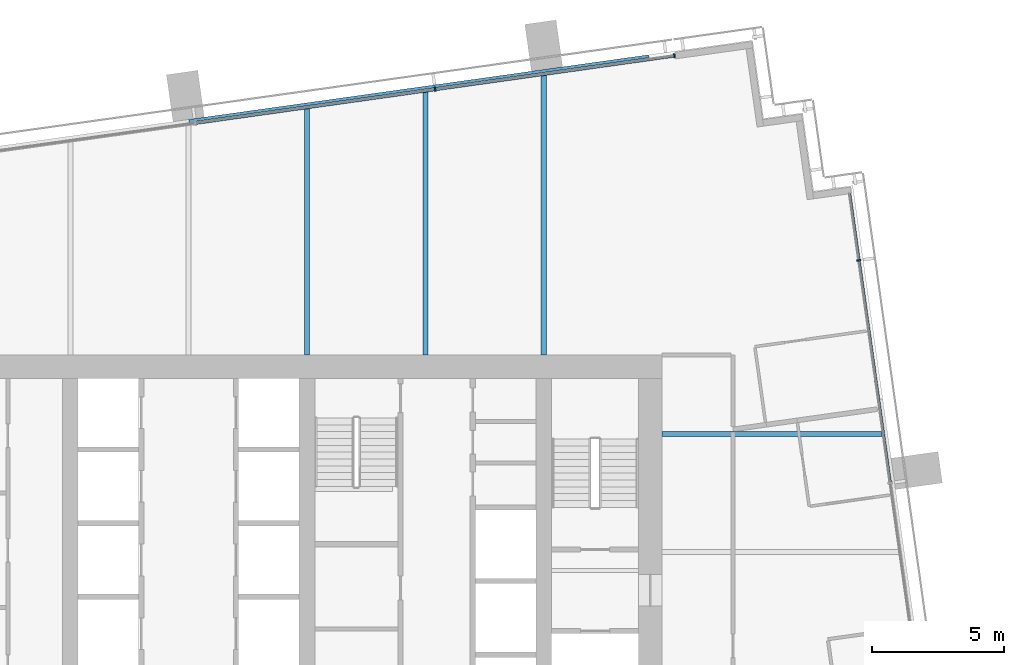
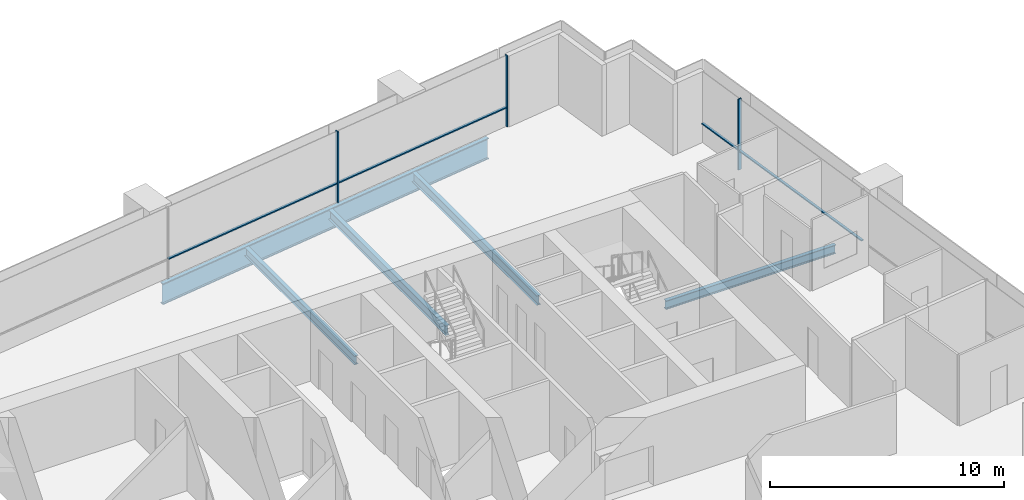
# One storey, part 7 of 18: 7 members, 5 beams, 2 elements without a shape of their own.
"""IFC4 building model written with IfcOpenShell, lengths in metres."""

import ifcopenshell
import ifcopenshell.guid

model = None  # the IFC model being written
_history = None  # IfcOwnerHistory: only IFC2X3 demands one
_inside = {}  # id of a spatial element -> (the spatial element, [elements in it])
_under = {}  # id of a project, library or spatial element -> (it, [spatial elements below it])
_declared = {}  # id of a project -> (the project, [libraries it declares])
_typed = {}  # id of a type object -> (the type object, [elements of that type])
_made_of = {}  # id of a material, layer set ... -> (it, [elements and type objects made of it])


def new_model(schema):
    """Start an empty IFC model of exactly this schema.

    Asked for "IFC4X3", IfcOpenShell would pick the latest addendum, in which some entities
    have other attributes; the version numbers below select the first issue.
    IFC2X3 requires an IfcOwnerHistory on every rooted entity: one is made here for all.
    """
    global model, _history
    if schema == "IFC4X3":
        model = ifcopenshell.file(schema_version=(4, 3, 0, 0))
    else:
        model = ifcopenshell.file(schema=schema)
    _inside.clear()
    _under.clear()
    _declared.clear()
    _typed.clear()
    _made_of.clear()
    _history = None
    if model.schema == "IFC2X3":
        org = make("IfcOrganization", Name="unknown")
        user = make(
            "IfcPersonAndOrganization",
            ThePerson=make("IfcPerson", FamilyName="unknown"),
            TheOrganization=org,
        )
        app = make(
            "IfcApplication",
            ApplicationDeveloper=org,
            Version="unknown",
            ApplicationFullName="unknown",
            ApplicationIdentifier="unknown",
        )
        _history = make(
            "IfcOwnerHistory",
            OwningUser=user,
            OwningApplication=app,
            ChangeAction="ADDED",
            CreationDate=0,
        )
    return model


def make(cls, **values):
    """One entity of the class cls with the attributes given. An attribute that is None is left unset."""
    return model.create_entity(
        cls, **{name: value for name, value in values.items() if value is not None}
    )


def rooted(cls, **values):
    """An entity with a GlobalId (a new one), such as an element, a storey or a relation."""
    return make(cls, GlobalId=ifcopenshell.guid.new(), OwnerHistory=_history, **values)


def si_unit(unit_type, name, prefix=None):
    """IfcSIUnit, for example si_unit("LENGTHUNIT", "METRE", prefix="MILLI")."""
    return make("IfcSIUnit", UnitType=unit_type, Prefix=prefix, Name=name)


def assignment(units):
    """IfcUnitAssignment: the units of a project."""
    return None if units is None else make("IfcUnitAssignment", Units=units)


def point(xyz):
    """IfcCartesianPoint."""
    return None if xyz is None else make("IfcCartesianPoint", Coordinates=xyz)


def direction(xyz):
    """IfcDirection."""
    return None if xyz is None else make("IfcDirection", DirectionRatios=xyz)


def frame(location, z_axis=None, x_axis=None):
    """IfcAxis2Placement3D, a coordinate frame: its origin and axes. An axis left out is left unset."""
    return make(
        "IfcAxis2Placement3D",
        Location=point(location),
        Axis=direction(z_axis),
        RefDirection=direction(x_axis),
    )


def frame_2d(location, x_axis=None):
    """IfcAxis2Placement2D, a coordinate frame in the plane: its origin and x axis."""
    return make(
        "IfcAxis2Placement2D", Location=point(location), RefDirection=direction(x_axis)
    )


def origin():
    """The frame at (0, 0, 0) with its axes left unset."""
    return frame((0.0, 0.0, 0.0))


def origin_2d():
    """The frame at (0, 0) in the plane with its x axis left unset."""
    return frame_2d((0.0, 0.0))


def place(relative_to, where):
    """IfcLocalPlacement: puts the frame where relative to a parent placement (None: the world)."""
    return make(
        "IfcLocalPlacement", PlacementRelTo=relative_to, RelativePlacement=where
    )


def context(
    kind, dimensions, precision=None, world=None, true_north=None, identifier=None
):
    """IfcGeometricRepresentationContext, for example the 3D "Model" context."""
    return make(
        "IfcGeometricRepresentationContext",
        ContextIdentifier=identifier,
        ContextType=kind,
        CoordinateSpaceDimension=dimensions,
        Precision=precision,
        WorldCoordinateSystem=world,
        TrueNorth=true_north,
    )


def subcontext(parent, identifier, kind, view, scale=None):
    """IfcGeometricRepresentationSubContext, for example "Body" below "Model"."""
    return make(
        "IfcGeometricRepresentationSubContext",
        ContextIdentifier=identifier,
        ContextType=kind,
        ParentContext=parent,
        TargetScale=scale,
        TargetView=view,
    )


def project(units=None, contexts=None):
    """IfcProject with its units and contexts."""
    return rooted(
        "IfcProject",
        Name="project",
        RepresentationContexts=contexts,
        UnitsInContext=assignment(units),
    )


def spatial(cls, under=None, at=None, **own):
    """A site, building, storey or space (cls), placed at a placement, below another one or the project."""
    s = rooted(cls, ObjectPlacement=at, **own)
    if under is not None:
        _under.setdefault(under.id(), (under, []))[1].append(s)
    return s


def profile(cls, at=None, kind="AREA", **sizes):
    """A parametric profile (cls). Its sizes go by their IFC names, for example OverallWidth=200.0."""
    return make(cls, ProfileType=kind, Position=at, **sizes)


def rectangle(**sizes):
    """IfcRectangleProfileDef."""
    return profile("IfcRectangleProfileDef", **sizes)


def i_section(**sizes):
    """IfcIShapeProfileDef."""
    return profile("IfcIShapeProfileDef", **sizes)


def extrude(swept, where, along, depth):
    """IfcExtrudedAreaSolid: the profile swept, set in the frame where, extruded along a direction by depth."""
    return make(
        "IfcExtrudedAreaSolid",
        SweptArea=swept,
        Position=where,
        ExtrudedDirection=direction(along),
        Depth=depth,
    )


def shape(context_of_items, identifier, shape_type, items):
    """IfcShapeRepresentation: the items that make up one representation, for example the "Body"."""
    return make(
        "IfcShapeRepresentation",
        ContextOfItems=context_of_items,
        RepresentationIdentifier=identifier,
        RepresentationType=shape_type,
        Items=items,
    )


def material(Name=None, Category=None):
    """IfcMaterial."""
    return make("IfcMaterial", Name=Name, Category=Category)


def material_profile(
    of_material, cross_section, Name=None, Category=None, Priority=None
):
    """IfcMaterialProfile: a cross section and its material."""
    return make(
        "IfcMaterialProfile",
        Name=Name,
        Material=of_material,
        Profile=cross_section,
        Priority=Priority,
        Category=Category,
    )


def profile_set(profiles, Name=None, composite=None):
    """IfcMaterialProfileSet."""
    return make(
        "IfcMaterialProfileSet",
        Name=Name,
        MaterialProfiles=profiles,
        CompositeProfile=composite,
    )


def made_of(thing, what):
    """Note that an element or type object is made of a material, layer set ...; save() writes the relation."""
    if what is not None:
        _made_of.setdefault(what.id(), (what, []))[1].append(thing)
    return thing


def type_object(cls, material=None, **own):
    """A type object (cls), such as IfcWallType, which elements share."""
    return made_of(rooted(cls, **own), material)


def element(
    cls,
    number,
    at=None,
    inside=None,
    cuts=None,
    type_object=None,
    material=None,
    context=None,
    identifier="Body",
    shape_type=None,
    held_by="IfcProductDefinitionShape",
    body=None,
    shapes=None,
    **own,
):
    """One element of the class cls, such as IfcWall. Its Tag is "e" and its number.

    at: its placement. inside: the storey or other place that contains it. cuts: it is an
    opening in that element (IfcRelVoidsElement). A single representation is given by context,
    identifier, shape_type and body (its items); several are given by shapes. held_by: the class
    of the entity that holds the representations. save() writes the other relations.
    """
    e = rooted(cls, Tag="e%d" % number, ObjectPlacement=at, **own)
    if body is not None:
        shapes = [shape(context, identifier, shape_type, body)]
    if shapes is not None:
        e.Representation = make(held_by, Representations=shapes)
    if inside is not None:
        _inside.setdefault(inside.id(), (inside, []))[1].append(e)
    if cuts is not None:
        rooted(
            "IfcRelVoidsElement", RelatingBuildingElement=cuts, RelatedOpeningElement=e
        )
    if type_object is not None:
        _typed.setdefault(type_object.id(), (type_object, []))[1].append(e)
    return made_of(e, material)


def aggregate(whole, parts):
    """IfcRelAggregates: a whole, such as a stair, and the parts it consists of."""
    return rooted("IfcRelAggregates", RelatingObject=whole, RelatedObjects=parts)


def save(model, path):
    """Write the relations noted so far, then the file.

    IfcRelAggregates (storeys below a building ...), IfcRelContainedInSpatialStructure (elements
    in a storey), IfcRelDefinesByType, IfcRelAssociatesMaterial and IfcRelDeclares: one each for
    every whole, place, type object, material and project.
    """
    for whole, parts in _under.values():
        aggregate(whole, parts)
    for where, things in _inside.values():
        rooted(
            "IfcRelContainedInSpatialStructure",
            RelatedElements=things,
            RelatingStructure=where,
        )
    for kind, things in _typed.values():
        rooted("IfcRelDefinesByType", RelatedObjects=things, RelatingType=kind)
    for what, things in _made_of.values():
        rooted("IfcRelAssociatesMaterial", RelatedObjects=things, RelatingMaterial=what)
    for by, libraries in _declared.values():
        rooted("IfcRelDeclares", RelatingContext=by, RelatedDefinitions=libraries)
    model.write(path)


model = new_model("IFC4")

# Units and contexts
model_context = context("Model", 3, precision=1e-05, world=origin(), true_north=direction((0.0, 1.0)))
body_context = subcontext(model_context, "Body", "Model", "MODEL_VIEW")
ifc_project = project(units=[si_unit("LENGTHUNIT", "METRE"), si_unit("AREAUNIT", "SQUARE_METRE"), si_unit("VOLUMEUNIT", "CUBIC_METRE"), si_unit("PLANEANGLEUNIT", "RADIAN"), si_unit("MASSUNIT", "GRAM", prefix="KILO")], contexts=[model_context])

# Site, building, storey
site_placement = place(None, origin())
site = spatial("IfcSite", under=ifc_project, at=site_placement, CompositionType="ELEMENT")
building_placement = place(site_placement, origin())
building = spatial("IfcBuilding", under=site, at=building_placement, Name="Rattan Terrace Tower", CompositionType="ELEMENT")
storey_placement = place(building_placement, frame((0.0, 0.0, 188.0)))
storey = spatial("IfcBuildingStorey", under=building, at=storey_placement, Name="L43", CompositionType="ELEMENT", Elevation=188.0)

# Curtain wall, member
ifc_material_1 = material(Name="Aluminium and glass", Category="aluminium")
curtain_wall_type = type_object("IfcCurtainWallType", Name="Facade Unitised Curtain Wall", PredefinedType="NOTDEFINED", material=ifc_material_1)
curtain_wall_1_placement = place(storey_placement, origin())
curtain_wall_1 = element("IfcCurtainWall", 1, at=curtain_wall_1_placement, inside=storey, type_object=curtain_wall_type, Name="Curtain wall L43-1", PredefinedType="NOTDEFINED")
ifc_material_2 = material(Name="Aluminium", Category="aluminium")
ifc_material_profile_1 = material_profile(ifc_material_2, rectangle(XDim=0.06005859375, YDim=0.159912109375, at=origin_2d()), Name="Aluminium 60x160")
ifc_profile_set_1 = profile_set([ifc_material_profile_1], Name="Aluminium")
member_type_1 = type_object("IfcMemberType", Name="Facade CW Mullion 60x160", PredefinedType="MULLION", material=ifc_profile_set_1)
member_1_placement = place(storey_placement, frame((25.477294921875, 11.092529296875, 0.0), z_axis=(0.0, 0.0, 1.0), x_axis=(-0.139190856006, 0.99026557327, 0.0)))
member_1 = element("IfcMember", 2, at=member_1_placement, type_object=member_type_1, Name="Mullion cwl-L43-001.4", PredefinedType="MULLION", context=body_context, shape_type="SweptSolid", body=[
    extrude(rectangle(XDim=0.06005859375, YDim=0.159912109375, at=origin_2d()), origin(), (0.0, 0.0, 1.0), 3.699951171875),
])

# Curtain wall, members
curtain_wall_2_placement = place(storey_placement, origin())
curtain_wall_2 = element("IfcCurtainWall", 3, at=curtain_wall_2_placement, inside=storey, type_object=curtain_wall_type, Name="Curtain wall L43-2", PredefinedType="NOTDEFINED")
member_2_placement = place(storey_placement, frame((18.467041015625, 18.87255859375, 0.0), z_axis=(0.0, 0.0, 1.0), x_axis=(-0.990269702686, -0.139161474347, 0.0)))
member_2 = element("IfcMember", 4, at=member_2_placement, type_object=member_type_1, Name="Mullion cwl-L43-002.1", PredefinedType="MULLION", context=body_context, shape_type="SweptSolid", body=[
    extrude(rectangle(XDim=0.06005859375, YDim=0.159912109375, at=origin_2d()), origin(), (0.0, 0.0, 1.0), 3.699951171875),
])
member_3_placement = place(storey_placement, frame((9.373291015625, 17.594482421875, 0.0), z_axis=(0.0, 0.0, 1.0), x_axis=(-0.990269702686, -0.139161474347, 0.0)))
member_3 = element("IfcMember", 5, at=member_3_placement, type_object=member_type_1, Name="Mullion cwl-L43-002.2", PredefinedType="MULLION", context=body_context, shape_type="SweptSolid", body=[
    extrude(rectangle(XDim=0.06005859375, YDim=0.159912109375, at=origin_2d()), origin(), (0.0, 0.0, 1.0), 3.699951171875),
])

# Member
ifc_material_3 = material(Name="Aluminium", Category="aluminium")
ifc_material_profile_2 = material_profile(ifc_material_3, rectangle(XDim=0.1201171875, YDim=0.06005859375, at=origin_2d()), Name="Aluminium 120x60")
ifc_profile_set_2 = profile_set([ifc_material_profile_2], Name="Aluminium")
member_type_2 = type_object("IfcMemberType", Name="Facade CW Transom 120x60", PredefinedType="USERDEFINED", material=ifc_profile_set_2)
member_4_placement = place(storey_placement, frame((26.663330078125, 2.655517578125, 1.0), z_axis=(-0.139178607515, 0.99026729483, 0.0), x_axis=(-0.99026729483, -0.139178607515, 0.0)))
member_4 = element("IfcMember", 6, at=member_4_placement, type_object=member_type_2, Name="Transom cwl-L43-001.3", ObjectType="TRANSOM", PredefinedType="USERDEFINED", context=body_context, shape_type="SweptSolid", body=[
    extrude(rectangle(XDim=0.1201171875, YDim=0.06005859375, at=origin_2d()), origin(), (0.0, 0.0, 1.0), 8.489990234375),
])

member_5_placement = place(storey_placement, frame((25.47314453125, 11.122314453125, 1.0), z_axis=(-0.139106713562, 0.990277396613, 0.0), x_axis=(-0.990277396613, -0.139106713562, 0.0)))
member_5 = element("IfcMember", 7, at=member_5_placement, type_object=member_type_2, Name="Transom cwl-L43-001.4", ObjectType="TRANSOM", PredefinedType="USERDEFINED", context=body_context, shape_type="SweptSolid", body=[
    extrude(rectangle(XDim=0.1201171875, YDim=0.06005859375, at=origin_2d()), origin(), (0.0, 0.0, 1.0), 2.525634765625),
])

aggregate(curtain_wall_1, [member_1, member_4, member_5])

member_6_placement = place(storey_placement, frame((18.437255859375, 18.868408203125, 1.0), z_axis=(-0.990266494002, -0.139184305354, 0.0), x_axis=(0.139184305354, -0.990266494002, 0.0)))
member_6 = element("IfcMember", 8, at=member_6_placement, type_object=member_type_2, Name="Transom cwl-L43-002.1", ObjectType="TRANSOM", PredefinedType="USERDEFINED", context=body_context, shape_type="SweptSolid", body=[
    extrude(rectangle(XDim=0.1201171875, YDim=0.06005859375, at=origin_2d()), origin(), (0.0, 0.0, 1.0), 9.123046875),
])

member_7_placement = place(storey_placement, frame((9.343505859375, 17.59033203125, 1.0), z_axis=(-0.990270711765, -0.139154293575, 0.0), x_axis=(0.139154293575, -0.990270711765, 0.0)))
member_7 = element("IfcMember", 9, at=member_7_placement, type_object=member_type_2, Name="Transom cwl-L43-002.2", ObjectType="TRANSOM", PredefinedType="USERDEFINED", context=body_context, shape_type="SweptSolid", body=[
    extrude(rectangle(XDim=0.1201171875, YDim=0.06005859375, at=origin_2d()), origin(), (0.0, 0.0, 1.0), 9.153076171875),
])

aggregate(curtain_wall_2, [member_2, member_3, member_6, member_7])

# Beams
ifc_material_4 = material(Name="Steel S460", Category="steel")
ifc_material_profile_3 = material_profile(ifc_material_4, i_section(OverallWidth=0.179931640625, OverallDepth=1.10009765625, WebThickness=0.01611328125, FlangeThickness=0.050048828125, at=origin_2d()), Name="PG 1100x180-16-50")
ifc_profile_set_3 = profile_set([ifc_material_profile_3], Name="Steel S460")
beam_type_1 = type_object("IfcBeamType", Name="Frame edge girder PG 1100x180-16-50", PredefinedType="SPANDREL", material=ifc_profile_set_3)
beam_1_placement = place(storey_placement, frame((17.4990234375, 18.818115234375, -0.75), z_axis=(-0.990264173921, -0.139200811234, 0.0), x_axis=(0.139200811234, -0.990264173921, 0.0)))
element("IfcBeam", 10, at=beam_1_placement, inside=storey, type_object=beam_type_1, Name="gdr-L43-007", PredefinedType="SPANDREL", context=body_context, shape_type="SweptSolid", body=[
    extrude(i_section(OverallWidth=0.179931640625, OverallDepth=1.10009765625, WebThickness=0.01611328125, FlangeThickness=0.050048828125, at=origin_2d()), origin(), (0.0, 0.0, 1.0), 17.657958984375),
])
ifc_material_5 = material(Name="Steel S355", Category="steel")
ifc_material_profile_4 = material_profile(ifc_material_5, i_section(OverallWidth=0.18994140625, OverallDepth=0.449951171875, WebThickness=0.009521484375, FlangeThickness=0.0146484375, FilletRadius=0.02099609375, at=origin_2d()), Name="IPE 450")
ifc_profile_set_4 = profile_set([ifc_material_profile_4], Name="Steel S355")
beam_type_2 = type_object("IfcBeamType", Name="Frame floor beam IPE 450", PredefinedType="JOIST", material=ifc_profile_set_4)
beam_2_placement = place(storey_placement, frame((18.0, 4.5, -0.425048828125), z_axis=(1.0, 0.0, 0.0), x_axis=(0.0, 1.0, 0.0)))
element("IfcBeam", 11, at=beam_2_placement, inside=storey, type_object=beam_type_2, Name="bm-L43-015", PredefinedType="JOIST", context=body_context, shape_type="SweptSolid", body=[
    extrude(i_section(OverallWidth=0.18994140625, OverallDepth=0.449951171875, WebThickness=0.009521484375, FlangeThickness=0.0146484375, FilletRadius=0.02099609375, at=origin_2d()), origin(), (0.0, 0.0, 1.0), 8.381103515625),
])
beam_3_placement = place(storey_placement, frame((4.5, 7.5, -0.425048828125), z_axis=(0.0, 1.0, 0.0), x_axis=(-1.0, 0.0, 0.0)))
element("IfcBeam", 12, at=beam_3_placement, inside=storey, type_object=beam_type_2, Name="bm-L43-020", PredefinedType="JOIST", context=body_context, shape_type="SweptSolid", body=[
    extrude(i_section(OverallWidth=0.18994140625, OverallDepth=0.449951171875, WebThickness=0.009521484375, FlangeThickness=0.0146484375, FilletRadius=0.02099609375, at=origin_2d()), origin(), (0.0, 0.0, 1.0), 9.385986328125),
])
ifc_material_6 = material(Name="Steel S355", Category="steel")
ifc_material_profile_5 = material_profile(ifc_material_6, i_section(OverallWidth=0.199951171875, OverallDepth=0.5, WebThickness=0.01025390625, FlangeThickness=0.01611328125, FilletRadius=0.02099609375, at=origin_2d()), Name="IPE 500")
ifc_profile_set_5 = profile_set([ifc_material_profile_5], Name="Steel S355")
beam_type_3 = type_object("IfcBeamType", Name="Frame floor beam IPE 500", PredefinedType="JOIST", material=ifc_profile_set_5)
beam_4_placement = place(storey_placement, frame((9.0, 7.5, -0.449951171875), z_axis=(0.0, 1.0, 0.0), x_axis=(-1.0, 0.0, 0.0)))
element("IfcBeam", 13, at=beam_4_placement, inside=storey, type_object=beam_type_3, Name="bm-L43-021", PredefinedType="JOIST", context=body_context, shape_type="SweptSolid", body=[
    extrude(i_section(OverallWidth=0.199951171875, OverallDepth=0.5, WebThickness=0.01025390625, FlangeThickness=0.01611328125, FilletRadius=0.02099609375, at=origin_2d()), origin(), (0.0, 0.0, 1.0), 10.01806640625),
])
beam_5_placement = place(storey_placement, frame((13.5, 7.5, -0.449951171875), z_axis=(0.0, 1.0, 0.0), x_axis=(-1.0, 0.0, 0.0)))
element("IfcBeam", 14, at=beam_5_placement, inside=storey, type_object=beam_type_3, Name="bm-L43-022", PredefinedType="JOIST", context=body_context, shape_type="SweptSolid", body=[
    extrude(i_section(OverallWidth=0.199951171875, OverallDepth=0.5, WebThickness=0.01025390625, FlangeThickness=0.01611328125, FilletRadius=0.02099609375, at=origin_2d()), origin(), (0.0, 0.0, 1.0), 10.65087890625),
])

save(model, "model.ifc")
